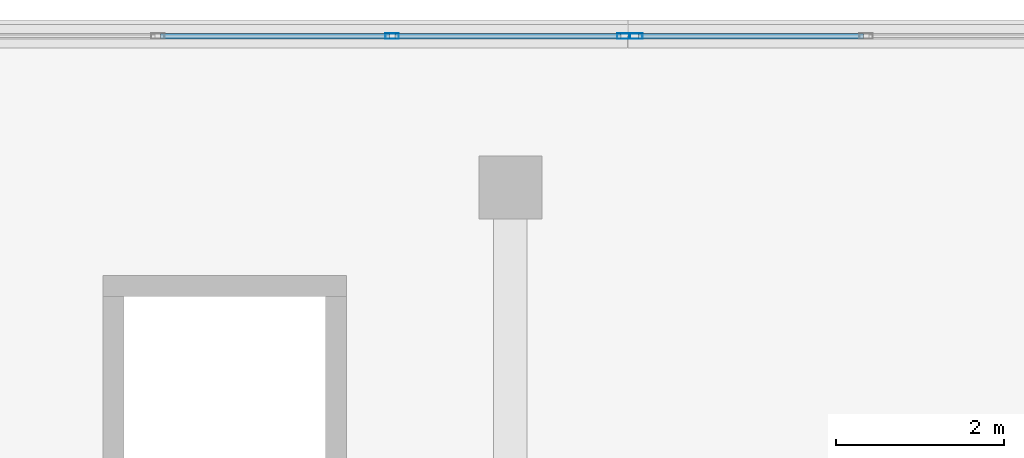
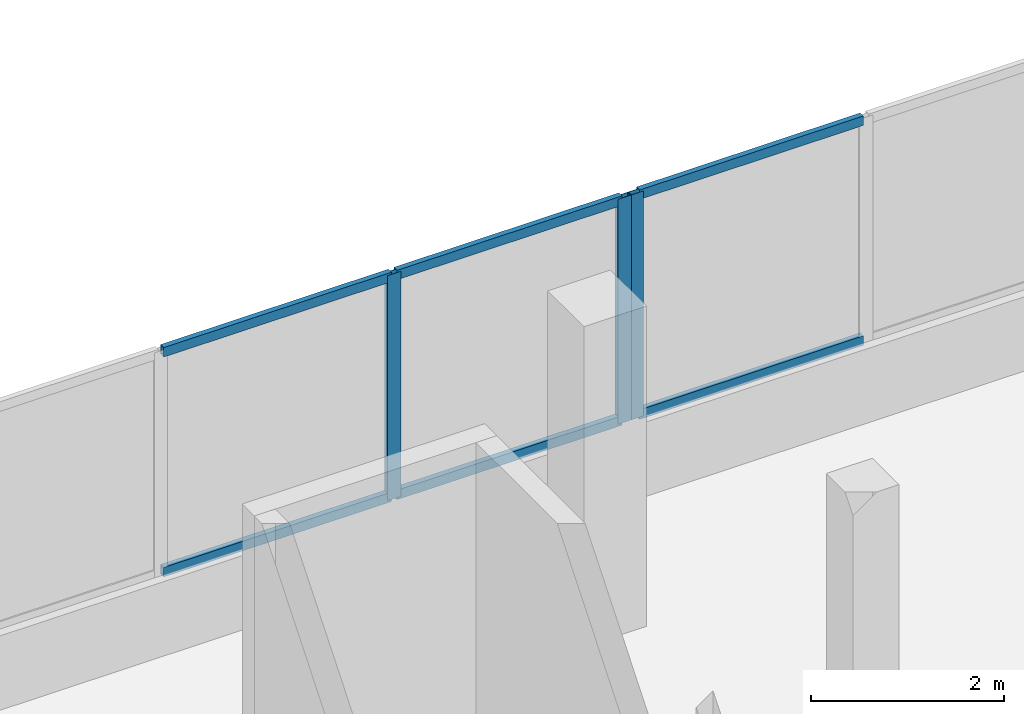
# One storey, part 37 of 66: 9 members, 2 elements without a shape of their own.
"""IFC4 building model written with IfcOpenShell, lengths in metres."""

from ifc_helpers import new_model, si_unit, direction, frame, origin, origin_2d, place, context, subcontext, project, spatial, hollow_rectangle, extrude, material, material_profile, profile_set, type_object, element, aggregate, save


model = new_model("IFC4")

# Units and contexts
model_context = context("Model", 3, precision=1e-05, world=origin(), true_north=direction((0.0, 1.0)))
body_context = subcontext(model_context, "Body", "Model", "MODEL_VIEW")
ifc_project = project(units=[si_unit("LENGTHUNIT", "METRE"), si_unit("AREAUNIT", "SQUARE_METRE"), si_unit("VOLUMEUNIT", "CUBIC_METRE"), si_unit("PLANEANGLEUNIT", "RADIAN"), si_unit("MASSUNIT", "GRAM", prefix="KILO")], contexts=[model_context])

# Site, building, storey
site_placement = place(None, origin())
site = spatial("IfcSite", under=ifc_project, at=site_placement, CompositionType="ELEMENT")
building_placement = place(site_placement, origin())
building = spatial("IfcBuilding", under=site, at=building_placement, Name="Selatvlak General Hospital", CompositionType="ELEMENT")
storey_placement = place(building_placement, frame((0.0, 0.0, 31.35009765625)))
storey = spatial("IfcBuildingStorey", under=building, at=storey_placement, Name="L07", CompositionType="ELEMENT", Elevation=31.35009765625)

# Curtain wall, members
ifc_material_1 = material(Name="Solar-control Low-E double glazing", Category="glass")
curtain_wall_type_1 = type_object("IfcCurtainWallType", Name="CW-CW-01", PredefinedType="USERDEFINED", material=ifc_material_1)
curtain_wall_1_placement = place(storey_placement, origin())
curtain_wall_1 = element("IfcCurtainWall", 1, at=curtain_wall_1_placement, inside=storey, type_object=curtain_wall_type_1, Name="Glazed facade curtain wall CW-L07-0657", ObjectType="UNITISED CURTAIN WALL", PredefinedType="USERDEFINED")
ifc_material_2 = material(Name="Dark anodised aluminium mullion", Category="aluminium")
ifc_material_profile_1 = material_profile(ifc_material_2, hollow_rectangle(XDim=0.06494140625, YDim=0.159912109375, WallThickness=0.00390625, at=origin_2d()), Name="AL-MUL 65x160x4")
ifc_profile_set_1 = profile_set([ifc_material_profile_1], Name="Dark anodised aluminium mullion")
member_type_1 = type_object("IfcMemberType", Name="CWM-01", PredefinedType="MULLION", material=ifc_profile_set_1)
member_1_placement = place(storey_placement, frame((145.993896484375, 120.0, 0.93994140625), z_axis=(0.0, 0.0, 1.0), x_axis=(0.0, 1.0, 0.0)))
member_1 = element("IfcMember", 2, at=member_1_placement, type_object=member_type_1, Name="CW-01 mullion 3", PredefinedType="MULLION", context=body_context, shape_type="SweptSolid", body=[
    extrude(hollow_rectangle(XDim=0.06494140625, YDim=0.159912109375, WallThickness=0.00390625, at=origin_2d()), origin(), (0.0, 0.0, 1.0), 2.844970703125),
])
member_2_placement = place(storey_placement, frame((148.75146484375, 120.0, 0.93994140625), z_axis=(0.0, 0.0, 1.0), x_axis=(0.0, 1.0, 0.0)))
member_2 = element("IfcMember", 3, at=member_2_placement, type_object=member_type_1, Name="CW-01 mullion 4", PredefinedType="MULLION", context=body_context, shape_type="SweptSolid", body=[
    extrude(hollow_rectangle(XDim=0.06494140625, YDim=0.159912109375, WallThickness=0.00390625, at=origin_2d()), origin(), (0.0, 0.0, 1.0), 2.844970703125),
])

# Curtain wall, member
curtain_wall_type_2 = type_object("IfcCurtainWallType", Name="CW-CW-02", PredefinedType="USERDEFINED", material=ifc_material_1)
curtain_wall_2_placement = place(storey_placement, origin())
curtain_wall_2 = element("IfcCurtainWall", 4, at=curtain_wall_2_placement, inside=storey, type_object=curtain_wall_type_2, Name="Glazed facade curtain wall CW-L07-0658", ObjectType="UNITISED CURTAIN WALL", PredefinedType="USERDEFINED")
member_3_placement = place(storey_placement, frame((148.896484375, 120.0, 0.93994140625), z_axis=(0.0, 0.0, 1.0), x_axis=(0.0, 1.0, 0.0)))
member_3 = element("IfcMember", 5, at=member_3_placement, type_object=member_type_1, Name="CW-02 mullion 1", PredefinedType="MULLION", context=body_context, shape_type="SweptSolid", body=[
    extrude(hollow_rectangle(XDim=0.06494140625, YDim=0.159912109375, WallThickness=0.00390625, at=origin_2d()), origin(), (0.0, 0.0, 1.0), 2.844970703125),
])

# Member
ifc_material_profile_2 = material_profile(ifc_material_2, hollow_rectangle(XDim=0.06494140625, YDim=0.1201171875, WallThickness=0.00390625, at=origin_2d()), Name="AL-TRN 65x120x4")
ifc_profile_set_2 = profile_set([ifc_material_profile_2], Name="Dark anodised aluminium mullion")
member_type_2 = type_object("IfcMemberType", Name="CWT-01", PredefinedType="USERDEFINED", material=ifc_profile_set_2)
member_4_placement = place(storey_placement, frame((143.236572265625, 120.0, 0.972412109375), z_axis=(1.0, 0.0, 0.0), x_axis=(0.0, 1.0, 0.0)))
member_4 = element("IfcMember", 6, at=member_4_placement, type_object=member_type_2, Name="CW-01 transom 2.1", ObjectType="TRANSOM", PredefinedType="USERDEFINED", context=body_context, shape_type="SweptSolid", body=[
    extrude(hollow_rectangle(XDim=0.06494140625, YDim=0.1201171875, WallThickness=0.00390625, at=origin_2d()), origin(), (0.0, 0.0, 1.0), 2.724853515625),
])

member_5_placement = place(storey_placement, frame((143.236572265625, 120.0, 3.75244140625), z_axis=(1.0, 0.0, 0.0), x_axis=(0.0, 1.0, 0.0)))
member_5 = element("IfcMember", 7, at=member_5_placement, type_object=member_type_2, Name="CW-01 transom 2.2", ObjectType="TRANSOM", PredefinedType="USERDEFINED", context=body_context, shape_type="SweptSolid", body=[
    extrude(hollow_rectangle(XDim=0.06494140625, YDim=0.1201171875, WallThickness=0.00390625, at=origin_2d()), origin(), (0.0, 0.0, 1.0), 2.724853515625),
])

member_6_placement = place(storey_placement, frame((146.026611328125, 120.0, 0.972412109375), z_axis=(1.0, 0.0, 0.0), x_axis=(0.0, 1.0, 0.0)))
member_6 = element("IfcMember", 8, at=member_6_placement, type_object=member_type_2, Name="CW-01 transom 3.1", ObjectType="TRANSOM", PredefinedType="USERDEFINED", context=body_context, shape_type="SweptSolid", body=[
    extrude(hollow_rectangle(XDim=0.06494140625, YDim=0.1201171875, WallThickness=0.00390625, at=origin_2d()), origin(), (0.0, 0.0, 1.0), 2.6923828125),
])

member_7_placement = place(storey_placement, frame((146.026611328125, 120.0, 3.75244140625), z_axis=(1.0, 0.0, 0.0), x_axis=(0.0, 1.0, 0.0)))
member_7 = element("IfcMember", 9, at=member_7_placement, type_object=member_type_2, Name="CW-01 transom 3.2", ObjectType="TRANSOM", PredefinedType="USERDEFINED", context=body_context, shape_type="SweptSolid", body=[
    extrude(hollow_rectangle(XDim=0.06494140625, YDim=0.1201171875, WallThickness=0.00390625, at=origin_2d()), origin(), (0.0, 0.0, 1.0), 2.6923828125),
])

aggregate(curtain_wall_1, [member_1, member_2, member_4, member_5, member_6, member_7])

member_8_placement = place(storey_placement, frame((148.928955078125, 120.0, 0.972412109375), z_axis=(1.0, 0.0, 0.0), x_axis=(0.0, 1.0, 0.0)))
member_8 = element("IfcMember", 10, at=member_8_placement, type_object=member_type_2, Name="CW-02 transom 1.1", ObjectType="TRANSOM", PredefinedType="USERDEFINED", context=body_context, shape_type="SweptSolid", body=[
    extrude(hollow_rectangle(XDim=0.06494140625, YDim=0.1201171875, WallThickness=0.00390625, at=origin_2d()), origin(), (0.0, 0.0, 1.0), 2.67578125),
])

member_9_placement = place(storey_placement, frame((148.928955078125, 120.0, 3.75244140625), z_axis=(1.0, 0.0, 0.0), x_axis=(0.0, 1.0, 0.0)))
member_9 = element("IfcMember", 11, at=member_9_placement, type_object=member_type_2, Name="CW-02 transom 1.2", ObjectType="TRANSOM", PredefinedType="USERDEFINED", context=body_context, shape_type="SweptSolid", body=[
    extrude(hollow_rectangle(XDim=0.06494140625, YDim=0.1201171875, WallThickness=0.00390625, at=origin_2d()), origin(), (0.0, 0.0, 1.0), 2.67578125),
])

aggregate(curtain_wall_2, [member_3, member_8, member_9])

save(model, "model.ifc")
